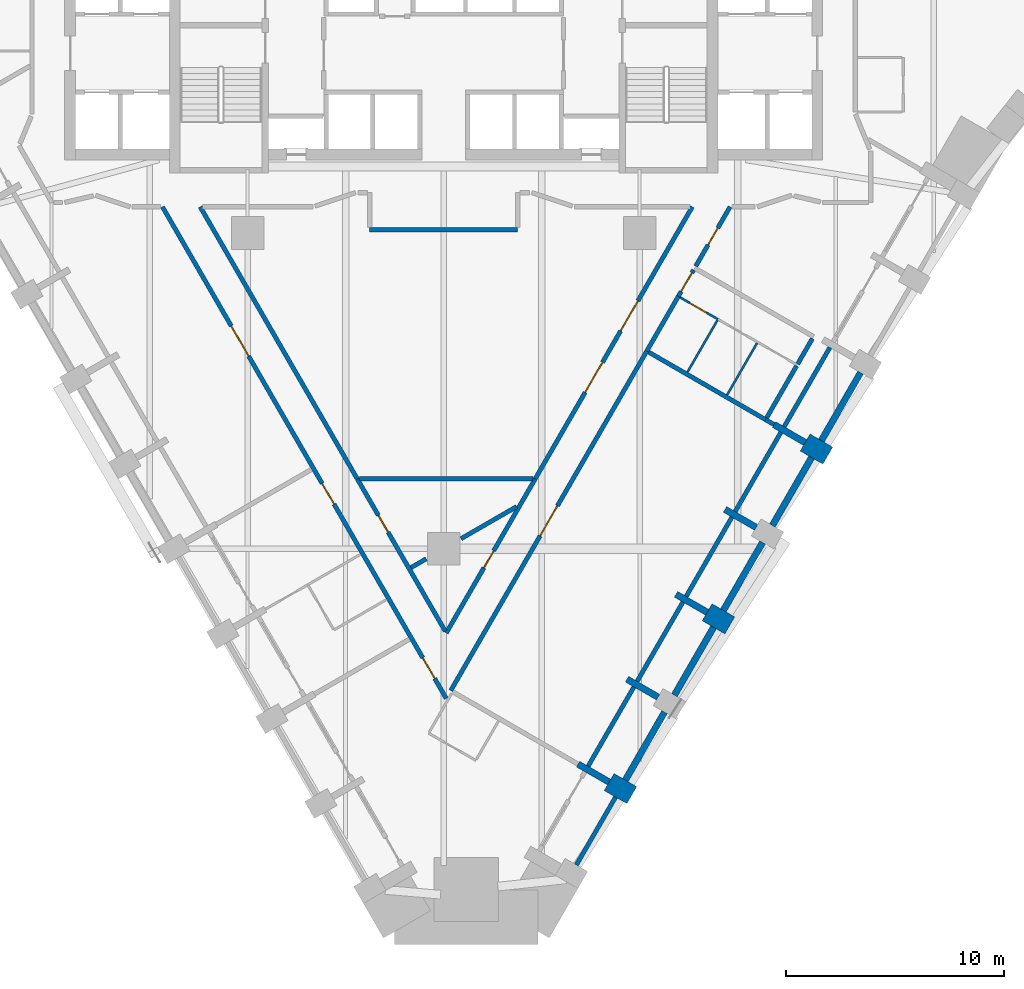
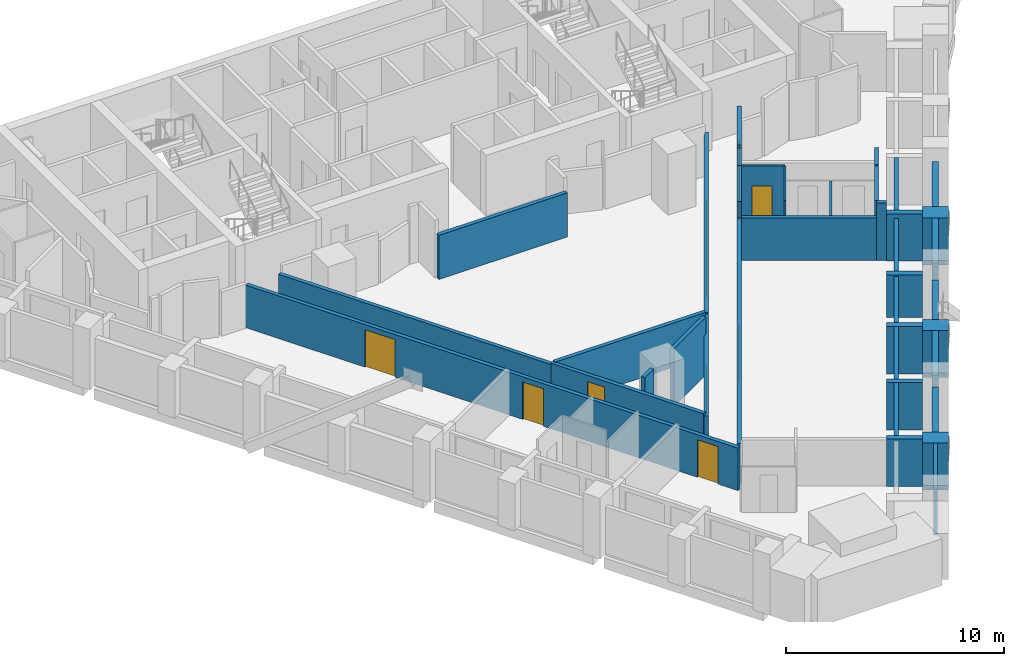
# One storey, part 4 of 10: 39 walls, 11 doors, 11 openings.
"""IFC4 building model written with IfcOpenShell, lengths in metres."""

from ifc_helpers import new_model, si_unit, direction, frame, frame_2d, origin, place, context, subcontext, project, spatial, rectangle, extrude, material, layer, layer_set, type_object, element, fill, save


model = new_model("IFC4")

# Units and contexts
model_context = context("Model", 3, precision=1e-05, world=origin(), true_north=direction((0.0, 1.0)))
body_context = subcontext(model_context, "Body", "Model", "MODEL_VIEW")
ifc_project = project(units=[si_unit("LENGTHUNIT", "METRE"), si_unit("AREAUNIT", "SQUARE_METRE"), si_unit("VOLUMEUNIT", "CUBIC_METRE"), si_unit("PLANEANGLEUNIT", "RADIAN"), si_unit("MASSUNIT", "GRAM", prefix="KILO")], contexts=[model_context])

# Site, building, storey
site_placement = place(None, origin())
site = spatial("IfcSite", under=ifc_project, at=site_placement, CompositionType="ELEMENT")
building_placement = place(site_placement, origin())
building = spatial("IfcBuilding", under=site, at=building_placement, Name="Calabash Gate Tower", CompositionType="ELEMENT")
storey_placement = place(building_placement, frame((0.0, 0.0, 105.39990234375)))
storey = spatial("IfcBuildingStorey", under=building, at=storey_placement, Name="L23", CompositionType="ELEMENT", Elevation=105.39990234375)

# Walls
ifc_material_1 = material(Name="Terracotta brick masonry, exposed face", Category="masonry")
ifc_layer_1 = layer(ifc_material_1, 1.199951171875)
ifc_layer_set_1 = layer_set([ifc_layer_1], Name="Brick end wall 1200")
wall_type_1 = type_object("IfcWallType", Name="Brick end wall 1200", PredefinedType="SOLIDWALL", material=ifc_layer_set_1)
for number, where, z_axis, x_axis, name in (
    (1, (7.59765625, -22.71240234375, 0.0), (0.0, 0.0, 1.0), (0.866043267704, -0.499969057507, 0.0), "Brick pier S06 SE2.1"),
    (2, (13.13671875, -15.51806640625, 0.0), (0.0, 0.0, 1.0), (-0.866043267704, 0.499969057507, 0.0), "Brick pier S06 SE2.3"),
):
    element("IfcWall", number, at=place(storey_placement, frame(where, z_axis=z_axis, x_axis=x_axis)), inside=storey, type_object=wall_type_1, Name=name, PredefinedType="SOLIDWALL", context=body_context, shape_type="SweptSolid", body=[
        extrude(rectangle(XDim=1.19970703125, YDim=0.89990234375, at=frame_2d((0.599853515625, 0.0))), origin(), (0.0, 0.0, 1.0), 2.630126953125),
    ])
wall_1_placement = place(storey_placement, frame((17.63671875, -7.723876953125, 0.0), z_axis=(0.0, 0.0, 1.0), x_axis=(-0.865955154139, 0.50012165622, 0.0)))
element("IfcWall", 3, at=wall_1_placement, inside=storey, type_object=wall_type_1, Name="Brick pier S06 SE2.5", PredefinedType="SOLIDWALL", context=body_context, shape_type="SweptSolid", body=[
    extrude(rectangle(XDim=1.199951171875, YDim=0.89990234375, at=frame_2d((0.60009765625, 0.0))), origin(), (0.0, 0.0, 1.0), 2.630126953125),
])
ifc_material_2 = material(Name="Terracotta brick masonry, exposed face", Category="masonry")
ifc_layer_2 = layer(ifc_material_2, 0.300048828125)
ifc_layer_set_2 = layer_set([ifc_layer_2], Name="Brick infill panel wall 300")
wall_type_2 = type_object("IfcWallType", Name="Brick infill panel wall 300", PredefinedType="SOLIDWALL", material=ifc_layer_set_2)
wall_2_placement = place(storey_placement, frame((8.342041015625, -22.62255859375, 0.0), z_axis=(0.0, 0.0, 1.0), x_axis=(0.500012057535, 0.866018442252, 0.0)))
element("IfcWall", 4, at=wall_2_placement, inside=storey, type_object=wall_type_2, Name="Brick panel S06 SE2.2", PredefinedType="SOLIDWALL", context=body_context, shape_type="SweptSolid", body=[
    extrude(rectangle(XDim=3.60009765625, YDim=0.300048828125, at=frame_2d((1.800048828125, 0.0))), origin(), (0.0, 0.0, 1.0), 2.630126953125),
])
wall_3_placement = place(storey_placement, frame((10.593017578125, -18.723876953125, 0.0), z_axis=(0.0, 0.0, 1.0), x_axis=(0.500014173611, 0.866017220491, 0.0)))
element("IfcWall", 5, at=wall_3_placement, inside=storey, type_object=wall_type_2, Name="Brick panel S06 SE2.3", PredefinedType="SOLIDWALL", context=body_context, shape_type="SweptSolid", body=[
    extrude(rectangle(XDim=3.59814453125, YDim=0.300048828125, at=frame_2d((1.799072265625, 0.0))), origin(), (0.0, 0.0, 1.0), 2.630126953125),
])
wall_4_placement = place(storey_placement, frame((12.842041015625, -14.828369140625, 0.0), z_axis=(0.0, 0.0, 1.0), x_axis=(0.500012057535, 0.866018442252, 0.0)))
element("IfcWall", 6, at=wall_4_placement, inside=storey, type_object=wall_type_2, Name="Brick panel S06 SE2.4", PredefinedType="SOLIDWALL", context=body_context, shape_type="SweptSolid", body=[
    extrude(rectangle(XDim=3.60009765625, YDim=0.300048828125, at=frame_2d((1.800048828125, 0.0))), origin(), (0.0, 0.0, 1.0), 2.302490234375),
])
for number, where, z_axis, x_axis, name in (
    (7, (15.092041015625, -10.931396484375, 0.0), (0.0, 0.0, 1.0), (0.500012057535, 0.866018442252, 0.0), "Brick panel S06 SE2.5"),
    (8, (17.342041015625, -7.0341796875, 0.0), (0.0, 0.0, 1.0), (0.500012057535, 0.866018442252, 0.0), "Brick panel S06 SE2.6"),
):
    element("IfcWall", number, at=place(storey_placement, frame(where, z_axis=z_axis, x_axis=x_axis)), inside=storey, type_object=wall_type_2, Name=name, PredefinedType="SOLIDWALL", context=body_context, shape_type="SweptSolid", body=[
        extrude(rectangle(XDim=3.60009765625, YDim=0.300048828125, at=frame_2d((1.800048828125, 0.0))), origin(), (0.0, 0.0, 1.0), 2.630126953125),
    ])
ifc_material_3 = material(Name="Terracotta brick masonry, exposed face", Category="masonry")
ifc_layer_3 = layer(ifc_material_3, 0.300048828125)
ifc_layer_set_3 = layer_set([ifc_layer_3], Name="Brick loggia cheek wall 300")
wall_type_3 = type_object("IfcWallType", Name="Brick loggia cheek wall 300", PredefinedType="SOLIDWALL", material=ifc_layer_set_3)
wall_5_placement = place(storey_placement, frame((7.59765625, -22.71240234375, 0.0), z_axis=(0.0, 0.0, 1.0), x_axis=(-0.866040211805, 0.499974350878, 0.0)))
element("IfcWall", 9, at=wall_5_placement, inside=storey, type_object=wall_type_3, Name="Loggia cheek S06 SE2.1", PredefinedType="SOLIDWALL", context=body_context, shape_type="SweptSolid", body=[
    extrude(rectangle(XDim=1.64990234375, YDim=0.300048828125, at=frame_2d((0.824951171875, 0.0))), origin(), (0.0, 0.0, 1.0), 2.650146484375),
])
wall_6_placement = place(storey_placement, frame((9.846435546875, -18.814697265625, 0.0), z_axis=(0.0, 0.0, 1.0), x_axis=(-0.865983361098, 0.500072813, 0.0)))
element("IfcWall", 10, at=wall_6_placement, inside=storey, type_object=wall_type_3, Name="Loggia cheek S06 SE2.2", PredefinedType="SOLIDWALL", context=body_context, shape_type="SweptSolid", body=[
    extrude(rectangle(XDim=1.648681640625, YDim=0.300048828125, at=frame_2d((0.82421875, 0.0))), origin(), (0.0, 0.0, 1.0), 2.650146484375),
])
wall_7_placement = place(storey_placement, frame((12.09765625, -14.918212890625, 0.0), z_axis=(0.0, 0.0, 1.0), x_axis=(-0.865976140824, 0.500085316245, 0.0)))
element("IfcWall", 11, at=wall_7_placement, inside=storey, type_object=wall_type_3, Name="Loggia cheek S06 SE2.3", PredefinedType="SOLIDWALL", context=body_context, shape_type="SweptSolid", body=[
    extrude(rectangle(XDim=1.650146484375, YDim=0.300048828125, at=frame_2d((0.8251953125, 0.0))), origin(), (0.0, 0.0, 1.0), 2.650146484375),
])
wall_8_placement = place(storey_placement, frame((14.347412109375, -11.02099609375, 0.0), z_axis=(0.0, 0.0, 1.0), x_axis=(-0.866003217194, 0.500038426333, 0.0)))
element("IfcWall", 12, at=wall_8_placement, inside=storey, type_object=wall_type_3, Name="Loggia cheek S06 SE2.4", PredefinedType="SOLIDWALL", context=body_context, shape_type="SweptSolid", body=[
    extrude(rectangle(XDim=1.649658203125, YDim=0.300048828125, at=frame_2d((0.82470703125, 0.0))), origin(), (0.0, 0.0, 1.0), 2.38427734375),
])
wall_9_placement = place(storey_placement, frame((15.168701171875, -6.298828125, 0.0), z_axis=(0.0, 0.0, 1.0), x_axis=(0.866040211805, -0.499974350878, 0.0)))
element("IfcWall", 13, at=wall_9_placement, inside=storey, type_object=wall_type_3, Name="Loggia cheek S06 SE2.5", PredefinedType="SOLIDWALL", context=body_context, shape_type="SweptSolid", body=[
    extrude(rectangle(XDim=1.64990234375, YDim=0.300048828125, at=frame_2d((0.824951171875, 0.0))), origin(), (0.0, 0.0, 1.0), 2.650146484375),
])
ifc_material_4 = material(Name="Gypsum board on steel studs, mineral wool", Category="steel")
ifc_layer_4 = layer(ifc_material_4, 0.10009765625)
ifc_layer_set_4 = layer_set([ifc_layer_4], Name="Partition 100 gypsum board")
wall_type_4 = type_object("IfcWallType", Name="Partition 100 gypsum board", PredefinedType="PARTITIONING", material=ifc_layer_set_4)
wall_10_placement = place(storey_placement, frame((13.01220703125, -4.93798828125, 0.0), z_axis=(0.0, 0.0, 1.0), x_axis=(0.499968400327, 0.866043647095, 0.0)))
element("IfcWall", 14, at=wall_10_placement, inside=storey, type_object=wall_type_4, Name="Partition", PredefinedType="PARTITIONING", context=body_context, shape_type="SweptSolid", body=[
    extrude(rectangle(XDim=2.749755859375, YDim=0.10009765625, at=frame_2d((1.375, 0.0))), origin(), (0.0, 0.0, 1.0), 2.38427734375),
])
wall_11_placement = place(storey_placement, frame((11.193359375, -3.88818359375, 0.0), z_axis=(0.0, 0.0, 1.0), x_axis=(0.499996545922, 0.866027397988, 0.0)))
element("IfcWall", 15, at=wall_11_placement, inside=storey, type_object=wall_type_4, Name="Partition", PredefinedType="PARTITIONING", context=body_context, shape_type="SweptSolid", body=[
    extrude(rectangle(XDim=2.75, YDim=0.10009765625, at=frame_2d((1.375, 0.0))), origin(), (0.0, 0.0, 1.0), 3.22998046875),
])

# Wall, opening, door
wall_12_placement = place(storey_placement, frame((10.860595703125, -0.461181640625, 0.0), z_axis=(0.0, 0.0, 1.0), x_axis=(0.865624045709, -0.500694529119, 0.0)))
wall_12 = element("IfcWall", 16, at=wall_12_placement, inside=storey, type_object=wall_type_4, Name="Partition", PredefinedType="PARTITIONING", context=body_context, shape_type="SweptSolid", body=[
    extrude(rectangle(XDim=1.999755859375, YDim=0.10009765625, at=frame_2d((1.0, 0.0))), origin(), (0.0, 0.0, 1.0), 3.22998046875),
])
opening_1_placement = place(wall_12_placement, frame((0.499755859375, 0.0, 0.0)))
opening_1 = element("IfcOpeningElement", 17, at=opening_1_placement, cuts=wall_12, Name="Opening 22-24-013", PredefinedType="OPENING", context=body_context, shape_type="SweptSolid", body=[
    extrude(rectangle(XDim=0.89990234375, YDim=2.10009765625, at=frame_2d((0.449951171875, 1.050048828125))), frame((0.0, 0.06005859375, 0.0), z_axis=(0.0, -1.0, 0.0), x_axis=(1.0, 0.0, 0.0)), (0.0, 0.0, 1.0), 0.1201171875),
])
ifc_material_5 = material(Name="Painted timber door", Category="wood")
door_type_1 = type_object("IfcDoorType", Name="WD1 WC door 900x2100", OperationType="NOTDEFINED", PredefinedType="DOOR", material=ifc_material_5)
door_1_placement = place(opening_1_placement, origin())
door_1 = element("IfcDoor", 18, at=door_1_placement, inside=storey, type_object=door_type_1, Name="WC door", OperationType="SINGLE_SWING_RIGHT", OverallHeight=2.10009765625, OverallWidth=0.89990234375, PredefinedType="DOOR", context=body_context, shape_type="SweptSolid", body=[
    extrude(rectangle(XDim=0.89990234375, YDim=2.10009765625, at=frame_2d((0.449951171875, 1.050048828125))), frame((0.0, 0.02490234375, 0.0), z_axis=(0.0, -1.0, 0.0), x_axis=(1.0, 0.0, 0.0)), (0.0, 0.0, 1.0), 0.050048828125),
])
fill(opening_1, door_1)

ifc_material_6 = material(Name="Gypsum board on steel studs, mineral wool", Category="steel")
ifc_layer_5 = layer(ifc_material_6, 0.199951171875)
ifc_layer_set_5 = layer_set([ifc_layer_5], Name="Partition 200 gypsum board EI 60")
wall_type_5 = type_object("IfcWallType", Name="Partition 200 gypsum board EI 60", PredefinedType="PARTITIONING", material=ifc_layer_set_5)
wall_13_placement = place(storey_placement, frame((0.117431640625, -15.867919921875, 0.0), z_axis=(0.0, 0.0, 1.0), x_axis=(0.500006185809, 0.866021832376, 0.0)))
wall_13 = element("IfcWall", 19, at=wall_13_placement, inside=storey, type_object=wall_type_5, Name="Partition", PredefinedType="PARTITIONING", context=body_context, shape_type="SweptSolid", body=[
    extrude(rectangle(XDim=8.16845703125, YDim=0.199951171875, at=frame_2d((4.084228515625, 0.0))), origin(), (0.0, 0.0, 1.0), 2.302490234375),
])
opening_2_placement = place(wall_13_placement, frame((3.45849609375, 0.0, 0.0)))
opening_2 = element("IfcOpeningElement", 20, at=opening_2_placement, cuts=wall_13, Name="Opening 22-24-007", PredefinedType="OPENING", context=body_context, shape_type="SweptSolid", body=[
    extrude(rectangle(XDim=0.89990234375, YDim=2.10009765625, at=frame_2d((0.449951171875, 1.050048828125))), frame((0.0, 0.10986328125, 0.0), z_axis=(0.0, -1.0, 0.0), x_axis=(1.0, 0.0, 0.0)), (0.0, 0.0, 1.0), 0.219970703125),
])
ifc_material_7 = material(Name="Steel fire door set with fire-resisting glazing", Category="steel")
door_type_2 = type_object("IfcDoorType", Name="SD3 Store door 900x2100", OperationType="NOTDEFINED", PredefinedType="DOOR", material=ifc_material_7)
door_2_placement = place(opening_2_placement, origin())
door_2 = element("IfcDoor", 21, at=door_2_placement, inside=storey, type_object=door_type_2, Name="Store door", OperationType="SINGLE_SWING_LEFT", OverallHeight=2.10009765625, OverallWidth=0.89990234375, PredefinedType="DOOR", context=body_context, shape_type="SweptSolid", body=[
    extrude(rectangle(XDim=0.89990234375, YDim=2.10009765625, at=frame_2d((0.449951171875, 1.050048828125))), frame((0.0, 0.02490234375, 0.0), z_axis=(0.0, -1.0, 0.0), x_axis=(1.0, 0.0, 0.0)), (0.0, 0.0, 1.0), 0.050048828125),
])
fill(opening_2, door_2)

# Walls
wall_14_placement = place(storey_placement, frame((-1.49951171875, -12.86376953125, 0.0), z_axis=(0.0, 0.0, 1.0), x_axis=(0.866955334919, 0.498385841749, 0.0)))
element("IfcWall", 22, at=wall_14_placement, inside=storey, type_object=wall_type_5, Name="Partition", PredefinedType="PARTITIONING", context=body_context, shape_type="SweptSolid", body=[
    extrude(rectangle(XDim=0.806884765625, YDim=0.199951171875, at=frame_2d((0.4033203125, 0.0))), origin(), (0.0, 0.0, 1.0), 3.22998046875),
])
wall_15_placement = place(storey_placement, frame((0.800048828125, -11.537841796875, 0.0), z_axis=(0.0, 0.0, 1.0), x_axis=(0.866017313224, 0.500014013, 0.0)))
element("IfcWall", 23, at=wall_15_placement, inside=storey, type_object=wall_type_5, Name="Partition", PredefinedType="PARTITIONING", context=body_context, shape_type="SweptSolid", body=[
    extrude(rectangle(XDim=2.94775390625, YDim=0.199951171875, at=frame_2d((1.473876953125, 0.0))), origin(), (0.0, 0.0, 1.0), 3.22998046875),
])

# Wall, opening, door
wall_16_placement = place(storey_placement, frame((-3.965087890625, -8.79296875, 0.0), z_axis=(0.0, 0.0, 1.0), x_axis=(0.499992237426, -0.866029885462, 0.0)))
wall_16 = element("IfcWall", 24, at=wall_16_placement, inside=storey, type_object=wall_type_5, Name="Partition", PredefinedType="PARTITIONING", context=body_context, shape_type="SweptSolid", body=[
    extrude(rectangle(XDim=8.068603515625, YDim=0.199951171875, at=frame_2d((4.0341796875, 0.0))), origin(), (0.0, 0.0, 1.0), 2.4501953125),
])
opening_3_placement = place(wall_16_placement, frame((1.92822265625, 0.0, 0.0)))
opening_3 = element("IfcOpeningElement", 25, at=opening_3_placement, cuts=wall_16, Name="Opening 22-24-008", PredefinedType="OPENING", context=body_context, shape_type="SweptSolid", body=[
    extrude(rectangle(XDim=0.89990234375, YDim=2.10009765625, at=frame_2d((0.449951171875, 1.050048828125))), frame((0.0, 0.10986328125, 0.0), z_axis=(0.0, -1.0, 0.0), x_axis=(1.0, 0.0, 0.0)), (0.0, 0.0, 1.0), 0.219970703125),
])
door_3_placement = place(opening_3_placement, origin())
door_3 = element("IfcDoor", 26, at=door_3_placement, inside=storey, type_object=door_type_2, Name="Store door", OperationType="SINGLE_SWING_LEFT", OverallHeight=2.10009765625, OverallWidth=0.89990234375, PredefinedType="DOOR", context=body_context, shape_type="SweptSolid", body=[
    extrude(rectangle(XDim=0.89990234375, YDim=2.10009765625, at=frame_2d((0.449951171875, 1.050048828125))), frame((0.0, 0.02490234375, 0.0), z_axis=(0.0, -1.0, 0.0), x_axis=(1.0, 0.0, 0.0)), (0.0, 0.0, 1.0), 0.050048828125),
])
fill(opening_3, door_3)

# Wall
wall_17_placement = place(storey_placement, frame((-3.865234375, -8.79296875, 0.0), z_axis=(0.0, 0.0, 1.0), x_axis=(1.0, 0.0, 0.0)))
element("IfcWall", 27, at=wall_17_placement, inside=storey, type_object=wall_type_5, Name="Partition", PredefinedType="PARTITIONING", context=body_context, shape_type="SweptSolid", body=[
    extrude(rectangle(XDim=7.96533203125, YDim=0.199951171875, at=frame_2d((3.982666015625, 0.0))), origin(), (0.0, 0.0, 1.0), 2.4736328125),
])

# Wall, openings, doors
wall_18_placement = place(storey_placement, frame((4.201171875, -8.791015625, 0.0), z_axis=(0.0, 0.0, 1.0), x_axis=(0.500109238176, 0.865962325907, 0.0)))
wall_18 = element("IfcWall", 28, at=wall_18_placement, inside=storey, type_object=wall_type_5, Name="Partition", PredefinedType="PARTITIONING", context=body_context, shape_type="SweptSolid", body=[
    extrude(rectangle(XDim=14.424072265625, YDim=0.199951171875, at=frame_2d((7.2119140625, 0.0))), origin(), (0.0, 0.0, 1.0), 2.38427734375),
])
opening_4_placement = place(wall_18_placement, frame((7.83935546875, 0.0, 0.0)))
opening_4 = element("IfcOpeningElement", 29, at=opening_4_placement, cuts=wall_18, Name="Opening 22-24-006", PredefinedType="OPENING", context=body_context, shape_type="SweptSolid", body=[
    extrude(rectangle(XDim=1.60009765625, YDim=2.10009765625, at=frame_2d((0.800048828125, 1.050048828125))), frame((0.0, 0.10986328125, 0.0), z_axis=(0.0, -1.0, 0.0), x_axis=(1.0, 0.0, 0.0)), (0.0, 0.0, 1.0), 0.219970703125),
])
opening_5_placement = place(wall_18_placement, frame((4.580322265625, 0.0, 0.0)))
opening_5 = element("IfcOpeningElement", 30, at=opening_5_placement, cuts=wall_18, Name="Opening 22-24-020", PredefinedType="OPENING", context=body_context, shape_type="SweptSolid", body=[
    extrude(rectangle(XDim=1.60009765625, YDim=2.10009765625, at=frame_2d((0.800048828125, 1.050048828125))), frame((0.0, 0.10986328125, 0.0), z_axis=(0.0, -1.0, 0.0), x_axis=(1.0, 0.0, 0.0)), (0.0, 0.0, 1.0), 0.219970703125),
])
ifc_material_8 = material(Name="Steel fire door set with fire-resisting glazing", Category="steel")
door_type_3 = type_object("IfcDoorType", Name="LD1 Lounge double door 1600x2100", OperationType="NOTDEFINED", PredefinedType="DOOR", material=ifc_material_8)
door_4_placement = place(opening_4_placement, origin())
door_4 = element("IfcDoor", 31, at=door_4_placement, inside=storey, type_object=door_type_3, Name="Lounge double door", OperationType="DOUBLE_DOOR_SINGLE_SWING", OverallHeight=2.10009765625, OverallWidth=1.60009765625, PredefinedType="DOOR", context=body_context, shape_type="SweptSolid", body=[
    extrude(rectangle(XDim=1.60009765625, YDim=2.10009765625, at=frame_2d((0.800048828125, 1.050048828125))), frame((0.0, 0.02490234375, 0.0), z_axis=(0.0, -1.0, 0.0), x_axis=(1.0, 0.0, 0.0)), (0.0, 0.0, 1.0), 0.050048828125),
])
fill(opening_4, door_4)
door_5_placement = place(opening_5_placement, origin())
door_5 = element("IfcDoor", 32, at=door_5_placement, inside=storey, type_object=door_type_3, Name="Lounge double door", OperationType="DOUBLE_DOOR_SINGLE_SWING", OverallHeight=2.10009765625, OverallWidth=1.60009765625, PredefinedType="DOOR", context=body_context, shape_type="SweptSolid", body=[
    extrude(rectangle(XDim=1.60009765625, YDim=2.10009765625, at=frame_2d((0.800048828125, 1.050048828125))), frame((0.0, 0.02490234375, 0.0), z_axis=(0.0, -1.0, 0.0), x_axis=(1.0, 0.0, 0.0)), (0.0, 0.0, 1.0), 0.050048828125),
])
fill(opening_5, door_5)

# Walls
wall_19_placement = place(storey_placement, frame((14.7802734375, -6.072265625, 0.0), z_axis=(0.0, 0.0, 1.0), x_axis=(0.864034851378, -0.503431997, 0.0)))
element("IfcWall", 33, at=wall_19_placement, inside=storey, type_object=wall_type_5, Name="Partition", PredefinedType="PARTITIONING", context=body_context, shape_type="SweptSolid", body=[
    extrude(rectangle(XDim=0.449462890625, YDim=0.199951171875, at=frame_2d((0.224609375, 0.0))), origin(), (0.0, 0.0, 1.0), 3.22998046875),
])
wall_20_placement = place(storey_placement, frame((14.828857421875, -5.987060546875, 0.0), z_axis=(0.0, 0.0, 1.0), x_axis=(0.499517615464, 0.866303729555, 0.0)))
element("IfcWall", 34, at=wall_20_placement, inside=storey, type_object=wall_type_5, Name="Partition", PredefinedType="PARTITIONING", context=body_context, shape_type="SweptSolid", body=[
    extrude(rectangle(XDim=2.751708984375, YDim=0.199951171875, at=frame_2d((1.3759765625, 0.0))), origin(), (0.0, 0.0, 1.0), 3.22998046875),
])
wall_21_placement = place(storey_placement, frame((16.25341796875, -3.5166015625, 0.0), z_axis=(0.0, 0.0, 1.0), x_axis=(0.500922210472, 0.865492310223, 0.0)))
element("IfcWall", 35, at=wall_21_placement, inside=storey, type_object=wall_type_5, Name="Partition", PredefinedType="PARTITIONING", context=body_context, shape_type="SweptSolid", body=[
    extrude(rectangle(XDim=1.35009765625, YDim=0.199951171875, at=frame_2d((0.675048828125, 0.0))), origin(), (0.0, 0.0, 1.0), 3.22998046875),
])
wall_22_placement = place(storey_placement, frame((9.412353515625, -2.97314453125, 0.0), z_axis=(0.0, 0.0, 1.0), x_axis=(0.866009125512, -0.500028193735, 0.0)))
element("IfcWall", 36, at=wall_22_placement, inside=storey, type_object=wall_type_5, Name="Partition", PredefinedType="PARTITIONING", context=body_context, shape_type="SweptSolid", body=[
    extrude(rectangle(XDim=6.197998046875, YDim=0.199951171875, at=frame_2d((3.09912109375, 0.0))), origin(), (0.0, 0.0, 1.0), 2.38427734375),
])

# Wall, opening, door
wall_23_placement = place(storey_placement, frame((0.32470703125, -18.513427734375, 0.0), z_axis=(0.0, 0.0, 1.0), x_axis=(0.499996012009, 0.86602770624, 0.0)))
wall_23 = element("IfcWall", 37, at=wall_23_placement, inside=storey, type_object=wall_type_5, Name="Partition", PredefinedType="PARTITIONING", context=body_context, shape_type="SweptSolid", body=[
    extrude(rectangle(XDim=18.000244140625, YDim=0.199951171875, at=frame_2d((9.0, 0.0))), origin(), (0.0, 0.0, 1.0), 2.302490234375),
])
opening_6_placement = place(wall_23_placement, frame((8.199951171875, 0.0, 0.0)))
opening_6 = element("IfcOpeningElement", 38, at=opening_6_placement, cuts=wall_23, Name="Opening 22-24-005", PredefinedType="OPENING", context=body_context, shape_type="SweptSolid", body=[
    extrude(rectangle(XDim=1.60009765625, YDim=2.10009765625, at=frame_2d((0.800048828125, 1.050048828125))), frame((0.0, 0.10986328125, 0.0), z_axis=(0.0, -1.0, 0.0), x_axis=(1.0, 0.0, 0.0)), (0.0, 0.0, 1.0), 0.219970703125),
])
door_6_placement = place(opening_6_placement, origin())
door_6 = element("IfcDoor", 39, at=door_6_placement, inside=storey, type_object=door_type_3, Name="Lounge double door", OperationType="DOUBLE_DOOR_SINGLE_SWING", OverallHeight=2.10009765625, OverallWidth=1.60009765625, PredefinedType="DOOR", context=body_context, shape_type="SweptSolid", body=[
    extrude(rectangle(XDim=1.60009765625, YDim=2.10009765625, at=frame_2d((0.800048828125, 1.050048828125))), frame((0.0, 0.02490234375, 0.0), z_axis=(0.0, -1.0, 0.0), x_axis=(1.0, 0.0, 0.0)), (0.0, 0.0, 1.0), 0.050048828125),
])
fill(opening_6, door_6)

# Wall
wall_24_placement = place(storey_placement, frame((9.32568359375, -2.923095703125, 0.0), z_axis=(0.0, 0.0, 1.0), x_axis=(0.499435738433, 0.866350935347, 0.0)))
element("IfcWall", 40, at=wall_24_placement, inside=storey, type_object=wall_type_5, Name="Partition", PredefinedType="PARTITIONING", context=body_context, shape_type="SweptSolid", body=[
    extrude(rectangle(XDim=2.899658203125, YDim=0.199951171875, at=frame_2d((1.44970703125, 0.0))), origin(), (0.0, 0.0, 1.0), 3.22998046875),
])

# Wall, opening, door
wall_25_placement = place(storey_placement, frame((10.774169921875, -0.410888671875, 0.0), z_axis=(0.0, 0.0, 1.0), x_axis=(0.500926145599, 0.865490032672, 0.0)))
wall_25 = element("IfcWall", 41, at=wall_25_placement, inside=storey, type_object=wall_type_5, Name="Partition", PredefinedType="PARTITIONING", context=body_context, shape_type="SweptSolid", body=[
    extrude(rectangle(XDim=1.398193359375, YDim=0.199951171875, at=frame_2d((0.69921875, 0.0))), origin(), (0.0, 0.0, 1.0), 3.22998046875),
])
opening_7_placement = place(wall_25_placement, frame((0.25, 0.0, 0.0)))
opening_7 = element("IfcOpeningElement", 42, at=opening_7_placement, cuts=wall_25, Name="Opening 22-24-012", PredefinedType="OPENING", context=body_context, shape_type="SweptSolid", body=[
    extrude(rectangle(XDim=1.0, YDim=2.10009765625, at=frame_2d((0.5, 1.050048828125))), frame((0.0, 0.10986328125, 0.0), z_axis=(0.0, -1.0, 0.0), x_axis=(1.0, 0.0, 0.0)), (0.0, 0.0, 1.0), 0.219970703125),
])
ifc_material_9 = material(Name="Steel fire door set with fire-resisting glazing", Category="steel")
door_type_4 = type_object("IfcDoorType", Name="WD3 WC lobby door 1000x2100", OperationType="NOTDEFINED", PredefinedType="DOOR", material=ifc_material_9)
door_7_placement = place(opening_7_placement, origin())
door_7 = element("IfcDoor", 43, at=door_7_placement, inside=storey, type_object=door_type_4, Name="WC lobby door", OperationType="SINGLE_SWING_LEFT", OverallHeight=2.10009765625, OverallWidth=1.0, PredefinedType="DOOR", context=body_context, shape_type="SweptSolid", body=[
    extrude(rectangle(XDim=1.0, YDim=2.10009765625, at=frame_2d((0.5, 1.050048828125))), frame((0.0, 0.02490234375, 0.0), z_axis=(0.0, -1.0, 0.0), x_axis=(1.0, 0.0, 0.0)), (0.0, 0.0, 1.0), 0.050048828125),
])
fill(opening_7, door_7)

wall_26_placement = place(storey_placement, frame((11.57421875, 0.97509765625, 0.0), z_axis=(0.0, 0.0, 1.0), x_axis=(0.500078475469, 0.86598009121, 0.0)))
wall_26 = element("IfcWall", 44, at=wall_26_placement, inside=storey, type_object=wall_type_5, Name="Partition", PredefinedType="PARTITIONING", context=body_context, shape_type="SweptSolid", body=[
    extrude(rectangle(XDim=3.14599609375, YDim=0.199951171875, at=frame_2d((1.572998046875, 0.0))), origin(), (0.0, 0.0, 1.0), 3.22998046875),
])
opening_8_placement = place(wall_26_placement, frame((1.122314453125, 0.0, 0.0)))
opening_8 = element("IfcOpeningElement", 45, at=opening_8_placement, cuts=wall_26, Name="Opening 22-24-018", PredefinedType="OPENING", context=body_context, shape_type="SweptSolid", body=[
    extrude(rectangle(XDim=0.89990234375, YDim=2.10009765625, at=frame_2d((0.449951171875, 1.050048828125))), frame((0.0, 0.10986328125, 0.0), z_axis=(0.0, -1.0, 0.0), x_axis=(1.0, 0.0, 0.0)), (0.0, 0.0, 1.0), 0.219970703125),
])
door_8_placement = place(opening_8_placement, origin())
door_8 = element("IfcDoor", 46, at=door_8_placement, inside=storey, type_object=door_type_2, Name="Store door", OperationType="SINGLE_SWING_RIGHT", OverallHeight=2.10009765625, OverallWidth=0.89990234375, PredefinedType="DOOR", context=body_context, shape_type="SweptSolid", body=[
    extrude(rectangle(XDim=0.89990234375, YDim=2.10009765625, at=frame_2d((0.449951171875, 1.050048828125))), frame((0.0, 0.02490234375, 0.0), z_axis=(0.0, -1.0, 0.0), x_axis=(1.0, 0.0, 0.0)), (0.0, 0.0, 1.0), 0.050048828125),
])
fill(opening_8, door_8)

# Wall
wall_27_placement = place(storey_placement, frame((-3.39990234375, 2.65234375, 0.0), z_axis=(0.0, 0.0, 1.0), x_axis=(1.0, 0.0, 0.0)))
element("IfcWall", 47, at=wall_27_placement, inside=storey, type_object=wall_type_5, Name="Partition", PredefinedType="PARTITIONING", context=body_context, shape_type="SweptSolid", body=[
    extrude(rectangle(XDim=6.7998046875, YDim=0.199951171875, at=frame_2d((3.39990234375, 0.0))), origin(), (0.0, 0.0, 1.0), 2.4736328125),
])

# Wall, openings, doors
wall_28_placement = place(storey_placement, frame((-12.91259765625, 3.699462890625, 0.0), z_axis=(0.0, 0.0, 1.0), x_axis=(0.499907630167, -0.866078726964, 0.0)))
wall_28 = element("IfcWall", 48, at=wall_28_placement, inside=storey, type_object=wall_type_5, Name="Partition", PredefinedType="PARTITIONING", context=body_context, shape_type="SweptSolid", body=[
    extrude(rectangle(XDim=26.0595703125, YDim=0.199951171875, at=frame_2d((13.02978515625, 0.0))), origin(), (0.0, 0.0, 1.0), 2.38427734375),
])
opening_9_placement = place(wall_28_placement, frame((6.311767578125, 0.0, 0.0)))
opening_9 = element("IfcOpeningElement", 49, at=opening_9_placement, cuts=wall_28, Name="Opening 22-24-001", PredefinedType="OPENING", context=body_context, shape_type="SweptSolid", body=[
    extrude(rectangle(XDim=1.60009765625, YDim=2.10009765625, at=frame_2d((0.800048828125, 1.050048828125))), frame((0.0, 0.10986328125, 0.0), z_axis=(0.0, -1.0, 0.0), x_axis=(1.0, 0.0, 0.0)), (0.0, 0.0, 1.0), 0.219970703125),
])
opening_10_placement = place(wall_28_placement, frame((14.661865234375, 0.0, 0.0)))
opening_10 = element("IfcOpeningElement", 50, at=opening_10_placement, cuts=wall_28, Name="Opening 22-24-002", PredefinedType="OPENING", context=body_context, shape_type="SweptSolid", body=[
    extrude(rectangle(XDim=1.10009765625, YDim=2.10009765625, at=frame_2d((0.550048828125, 1.050048828125))), frame((0.0, 0.10986328125, 0.0), z_axis=(0.0, -1.0, 0.0), x_axis=(1.0, 0.0, 0.0)), (0.0, 0.0, 1.0), 0.219970703125),
])
opening_11_placement = place(wall_28_placement, frame((23.910888671875, 0.0, 0.0)))
opening_11 = element("IfcOpeningElement", 51, at=opening_11_placement, cuts=wall_28, Name="Opening 22-24-019", PredefinedType="OPENING", context=body_context, shape_type="SweptSolid", body=[
    extrude(rectangle(XDim=1.10009765625, YDim=2.10009765625, at=frame_2d((0.550048828125, 1.050048828125))), frame((0.0, 0.10986328125, 0.0), z_axis=(0.0, -1.0, 0.0), x_axis=(1.0, 0.0, 0.0)), (0.0, 0.0, 1.0), 0.219970703125),
])
ifc_material_10 = material(Name="Steel fire door set with fire-resisting glazing", Category="steel")
door_type_5 = type_object("IfcDoorType", Name="GD3 Suite entrance door 1100x2100", OperationType="NOTDEFINED", PredefinedType="DOOR", material=ifc_material_10)
door_9_placement = place(opening_10_placement, origin())
door_9 = element("IfcDoor", 52, at=door_9_placement, inside=storey, type_object=door_type_5, Name="Suite entrance door", OperationType="SINGLE_SWING_RIGHT", OverallHeight=2.10009765625, OverallWidth=1.10009765625, PredefinedType="DOOR", context=body_context, shape_type="SweptSolid", body=[
    extrude(rectangle(XDim=1.10009765625, YDim=2.10009765625, at=frame_2d((0.550048828125, 1.050048828125))), frame((0.0, 0.02490234375, 0.0), z_axis=(0.0, -1.0, 0.0), x_axis=(1.0, 0.0, 0.0)), (0.0, 0.0, 1.0), 0.050048828125),
])
fill(opening_10, door_9)
door_10_placement = place(opening_11_placement, origin())
door_10 = element("IfcDoor", 53, at=door_10_placement, inside=storey, type_object=door_type_5, Name="Suite entrance door", OperationType="SINGLE_SWING_LEFT", OverallHeight=2.10009765625, OverallWidth=1.10009765625, PredefinedType="DOOR", context=body_context, shape_type="SweptSolid", body=[
    extrude(rectangle(XDim=1.10009765625, YDim=2.10009765625, at=frame_2d((0.550048828125, 1.050048828125))), frame((0.0, 0.02490234375, 0.0), z_axis=(0.0, -1.0, 0.0), x_axis=(1.0, 0.0, 0.0)), (0.0, 0.0, 1.0), 0.050048828125),
])
fill(opening_11, door_10)
door_11_placement = place(opening_9_placement, origin())
door_11 = element("IfcDoor", 54, at=door_11_placement, inside=storey, type_object=door_type_3, Name="Lounge double door", OperationType="DOUBLE_DOOR_SINGLE_SWING", OverallHeight=2.10009765625, OverallWidth=1.60009765625, PredefinedType="DOOR", context=body_context, shape_type="SweptSolid", body=[
    extrude(rectangle(XDim=1.60009765625, YDim=2.10009765625, at=frame_2d((0.800048828125, 1.050048828125))), frame((0.0, 0.02490234375, 0.0), z_axis=(0.0, -1.0, 0.0), x_axis=(1.0, 0.0, 0.0)), (0.0, 0.0, 1.0), 0.050048828125),
])
fill(opening_9, door_11)

# Walls
wall_29_placement = place(storey_placement, frame((-11.179931640625, 3.69970703125, 0.0), z_axis=(0.0, 0.0, 1.0), x_axis=(0.499994992015, -0.866028295127, 0.0)))
element("IfcWall", 55, at=wall_29_placement, inside=storey, type_object=wall_type_5, Name="Partition", PredefinedType="PARTITIONING", context=body_context, shape_type="SweptSolid", body=[
    extrude(rectangle(XDim=14.423095703125, YDim=0.199951171875, at=frame_2d((7.21142578125, 0.0))), origin(), (0.0, 0.0, 1.0), 2.38427734375),
])
ifc_material_11 = material(Name="Terracotta brick masonry, perforated", Category="masonry")
ifc_layer_6 = layer(ifc_material_11, 0.199951171875)
ifc_layer_set_6 = layer_set([ifc_layer_6], Name="Terracotta jaali screen B")
wall_type_6 = type_object("IfcWallType", Name="Terracotta jaali screen B", PredefinedType="SOLIDWALL", material=ifc_layer_set_6)
wall_30_placement = place(storey_placement, frame((6.092041015625, -26.519775390625, 0.0), z_axis=(0.0, 0.0, 1.0), x_axis=(0.500012057535, 0.866018442252, 0.0)))
element("IfcWall", 56, at=wall_30_placement, inside=storey, type_object=wall_type_6, Name="SCREEN B S06 SE2.1", PredefinedType="SOLIDWALL", context=body_context, shape_type="SweptSolid", body=[
    extrude(rectangle(XDim=3.60009765625, YDim=0.199951171875, at=frame_2d((1.800048828125, 0.0))), origin(), (0.0, 0.0, 1.0), 2.630126953125),
])
ifc_material_12 = material(Name="Aluminium framed window wall with insulated spandrel", Category="aluminium")
ifc_layer_7 = layer(ifc_material_12, 0.199951171875)
ifc_layer_set_7 = layer_set([ifc_layer_7], Name="Window wall 200")
wall_type_7 = type_object("IfcWallType", Name="Window wall 200", PredefinedType="ELEMENTEDWALL", material=ifc_layer_set_7)
wall_31_placement = place(storey_placement, frame((6.63330078125, -21.982421875, 0.0), z_axis=(0.0, 0.0, 1.0), x_axis=(0.500027713859, 0.866009402589, 0.0)))
element("IfcWall", 57, at=wall_31_placement, inside=storey, type_object=wall_type_7, Name="Window wall S06 SE2.2", PredefinedType="ELEMENTEDWALL", context=body_context, shape_type="SweptSolid", body=[
    extrude(rectangle(XDim=4.199951171875, YDim=0.199951171875, at=frame_2d((2.10009765625, 0.0))), origin(), (0.0, 0.0, 1.0), 2.650146484375),
])
wall_32_placement = place(storey_placement, frame((8.88330078125, -18.08544921875, 0.0), z_axis=(0.0, 0.0, 1.0), x_axis=(0.500002543286, 0.866023935413, 0.0)))
element("IfcWall", 58, at=wall_32_placement, inside=storey, type_object=wall_type_7, Name="Window wall S06 SE2.3", PredefinedType="ELEMENTEDWALL", context=body_context, shape_type="SweptSolid", body=[
    extrude(rectangle(XDim=4.2001953125, YDim=0.199951171875, at=frame_2d((2.10009765625, 0.0))), origin(), (0.0, 0.0, 1.0), 2.650146484375),
])
wall_33_placement = place(storey_placement, frame((11.13330078125, -14.188232421875, 0.0), z_axis=(0.0, 0.0, 1.0), x_axis=(0.500027713859, 0.866009402589, 0.0)))
element("IfcWall", 59, at=wall_33_placement, inside=storey, type_object=wall_type_7, Name="Window wall S06 SE2.4", PredefinedType="ELEMENTEDWALL", context=body_context, shape_type="SweptSolid", body=[
    extrude(rectangle(XDim=4.199951171875, YDim=0.199951171875, at=frame_2d((2.10009765625, 0.0))), origin(), (0.0, 0.0, 1.0), 2.302490234375),
])
wall_34_placement = place(storey_placement, frame((13.38330078125, -10.291015625, 0.0), z_axis=(0.0, 0.0, 1.0), x_axis=(0.500027713859, 0.866009402589, 0.0)))
element("IfcWall", 60, at=wall_34_placement, inside=storey, type_object=wall_type_7, Name="Window wall S06 SE2.5", PredefinedType="ELEMENTEDWALL", context=body_context, shape_type="SweptSolid", body=[
    extrude(rectangle(XDim=4.199951171875, YDim=0.199951171875, at=frame_2d((2.10009765625, 0.0))), origin(), (0.0, 0.0, 1.0), 2.38427734375),
])
wall_35_placement = place(storey_placement, frame((15.63330078125, -6.39404296875, 0.0), z_axis=(0.0, 0.0, 1.0), x_axis=(0.500002543286, 0.866023935413, 0.0)))
element("IfcWall", 61, at=wall_35_placement, inside=storey, type_object=wall_type_7, Name="Window wall S06 SE2.6", PredefinedType="ELEMENTEDWALL", context=body_context, shape_type="SweptSolid", body=[
    extrude(rectangle(XDim=4.2001953125, YDim=0.199951171875, at=frame_2d((2.10009765625, 0.0))), origin(), (0.0, 0.0, 1.0), 2.650146484375),
])

save(model, "model.ifc")
